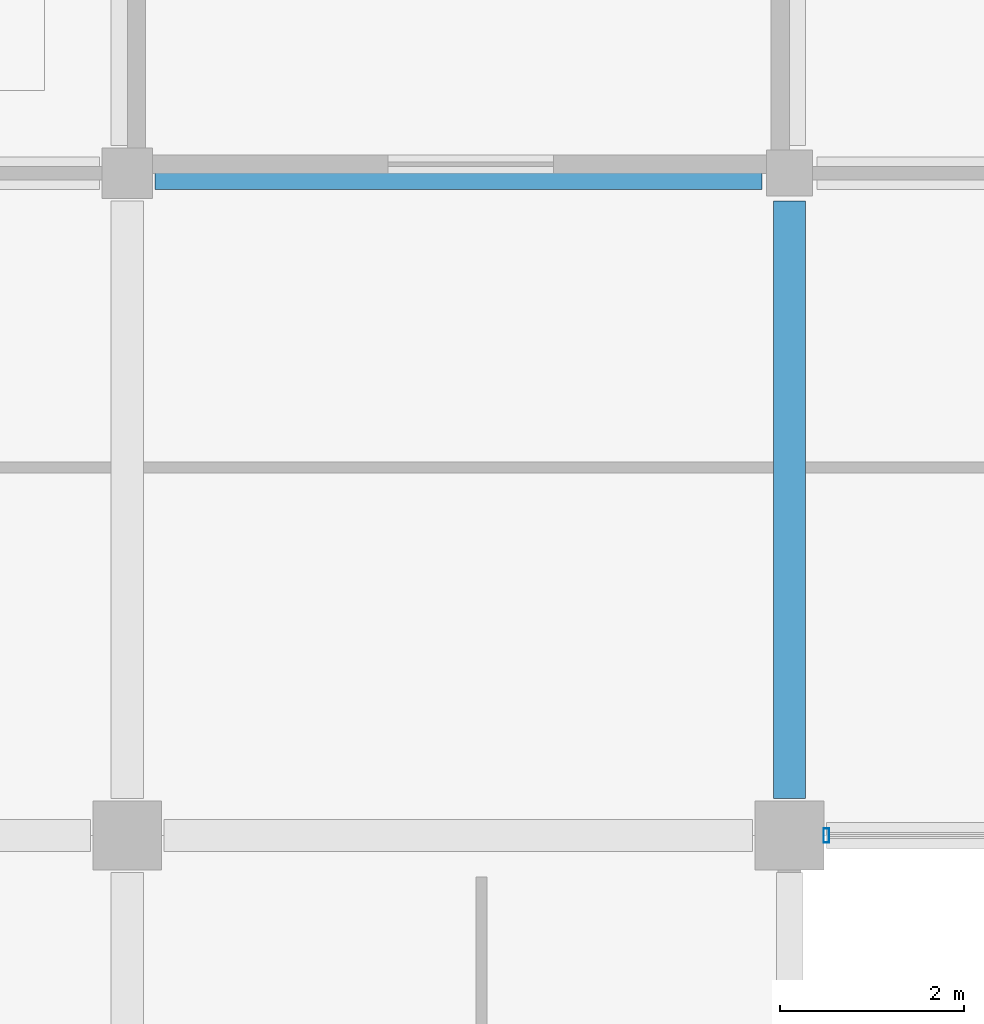
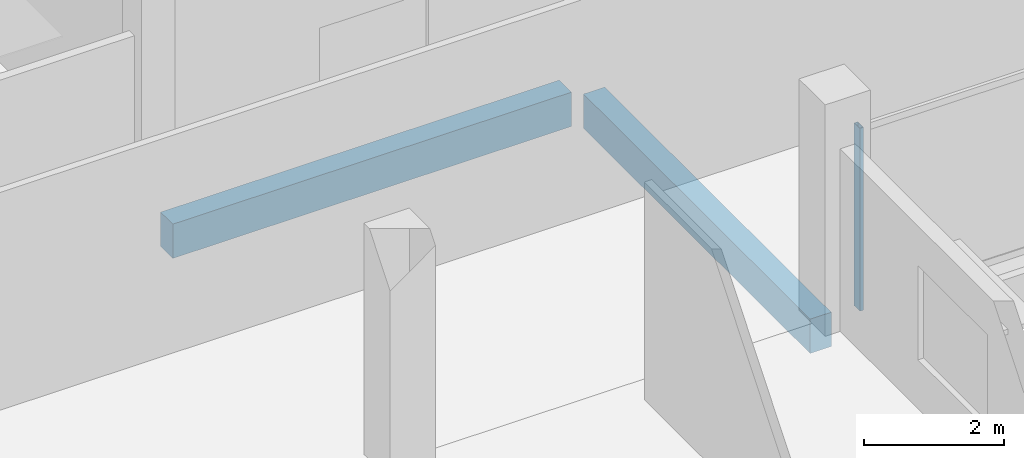
# One storey, part 19 of 91: 2 beams, 1 member, 1 element without a shape of its own.
"""IFC4 building model written with IfcOpenShell, lengths in metres."""

from ifc_helpers import new_model, si_unit, direction, frame, origin, origin_2d, place, context, subcontext, project, spatial, rectangle, hollow_rectangle, extrude, material, layer, layer_set, material_profile, profile_set, type_object, element, aggregate, save


model = new_model("IFC4")

# Units and contexts
model_context = context("Model", 3, precision=1e-05, world=origin(), true_north=direction((0.0, 1.0)))
body_context = subcontext(model_context, "Body", "Model", "MODEL_VIEW")
ifc_project = project(units=[si_unit("LENGTHUNIT", "METRE"), si_unit("AREAUNIT", "SQUARE_METRE"), si_unit("VOLUMEUNIT", "CUBIC_METRE"), si_unit("PLANEANGLEUNIT", "RADIAN"), si_unit("MASSUNIT", "GRAM", prefix="KILO")], contexts=[model_context])

# Site, building, storey
site_placement = place(None, origin())
site = spatial("IfcSite", under=ifc_project, at=site_placement, CompositionType="ELEMENT")
building_placement = place(site_placement, origin())
building = spatial("IfcBuilding", under=site, at=building_placement, Name="Kangsadwip Square Police Headquarters", CompositionType="ELEMENT")
storey_placement = place(building_placement, frame((0.0, 0.0, 13.5)))
storey = spatial("IfcBuildingStorey", under=building, at=storey_placement, Name="L03", CompositionType="ELEMENT", Elevation=13.5)

# Curtain wall, member
ifc_material_1 = material(Name="Thermally broken anodised aluminium AW-6063-T6", Category="aluminium")
ifc_layer = layer(ifc_material_1, 0.159912109375)
ifc_layer_set = layer_set([ifc_layer], Name="Thermally broken anodised aluminium AW-6063-T6")
curtain_wall_type = type_object("IfcCurtainWallType", Name="CourtScreen6585x3200", PredefinedType="USERDEFINED", material=ifc_layer_set)
curtain_wall_placement = place(storey_placement, origin())
curtain_wall = element("IfcCurtainWall", 1, at=curtain_wall_placement, inside=storey, type_object=curtain_wall_type, Name="Curtain Wall CW-L03-0220-0936", ObjectType="GLAZED_SCREEN", PredefinedType="USERDEFINED")
ifc_material_2 = material(Name="Thermally broken anodised aluminium AW-6063-T6", Category="aluminium")
ifc_material_profile_1 = material_profile(ifc_material_2, hollow_rectangle(XDim=0.06005859375, YDim=0.159912109375, WallThickness=0.00390625, at=origin_2d()), Name="CWM 160X60X4")
ifc_profile_set_1 = profile_set([ifc_material_profile_1], Name="Thermally broken anodised aluminium AW-6063-T6")
member_type = type_object("IfcMemberType", Name="CwMullion135x60", PredefinedType="MULLION", material=ifc_profile_set_1)
member_placement = place(storey_placement, frame((22.0, 93.60009765625, 0.0), z_axis=(0.0, 0.0, 1.0), x_axis=(1.0, 0.0, 0.0)))
member = element("IfcMember", 2, at=member_placement, type_object=member_type, Name="CW-37 mullion 1", PredefinedType="MULLION", context=body_context, shape_type="SweptSolid", body=[
    extrude(hollow_rectangle(XDim=0.06005859375, YDim=0.159912109375, WallThickness=0.00390625, at=origin_2d()), origin(), (0.0, 0.0, 1.0), 3.199951171875),
])
aggregate(curtain_wall, [member])

# Beams
ifc_material_3 = material(Name="Concrete M35 (35 MPa)", Category="concrete")
ifc_material_profile_2 = material_profile(ifc_material_3, rectangle(XDim=0.35009765625, YDim=0.60009765625, at=origin_2d()), Name="RC BM 600X350")
ifc_profile_set_2 = profile_set([ifc_material_profile_2], Name="Concrete M35 (35 MPa)")
beam_type = type_object("IfcBeamType", Name="RcBeam600x350", PredefinedType="BEAM", material=ifc_profile_set_2)
beam_1_placement = place(storey_placement, frame((14.699951171875, 100.800048828125, -0.5400390625), z_axis=(1.0, 0.0, 0.0), x_axis=(0.0, 1.0, 0.0)))
element("IfcBeam", 3, at=beam_1_placement, inside=storey, type_object=beam_type, Name="Beam BM-L03-X-02-14", PredefinedType="BEAM", context=body_context, shape_type="SweptSolid", body=[
    extrude(rectangle(XDim=0.35009765625, YDim=0.60009765625, at=origin_2d()), origin(), (0.0, 0.0, 1.0), 6.60009765625),
])
beam_2_placement = place(storey_placement, frame((21.60009765625, 94.0, -0.5400390625), z_axis=(0.0, 1.0, 0.0), x_axis=(-1.0, 0.0, 0.0)))
element("IfcBeam", 4, at=beam_2_placement, inside=storey, type_object=beam_type, Name="Beam BM-L03-Y-03-13", PredefinedType="BEAM", context=body_context, shape_type="SweptSolid", body=[
    extrude(rectangle(XDim=0.35009765625, YDim=0.60009765625, at=origin_2d()), origin(), (0.0, 0.0, 1.0), 6.5),
])

save(model, "model.ifc")
